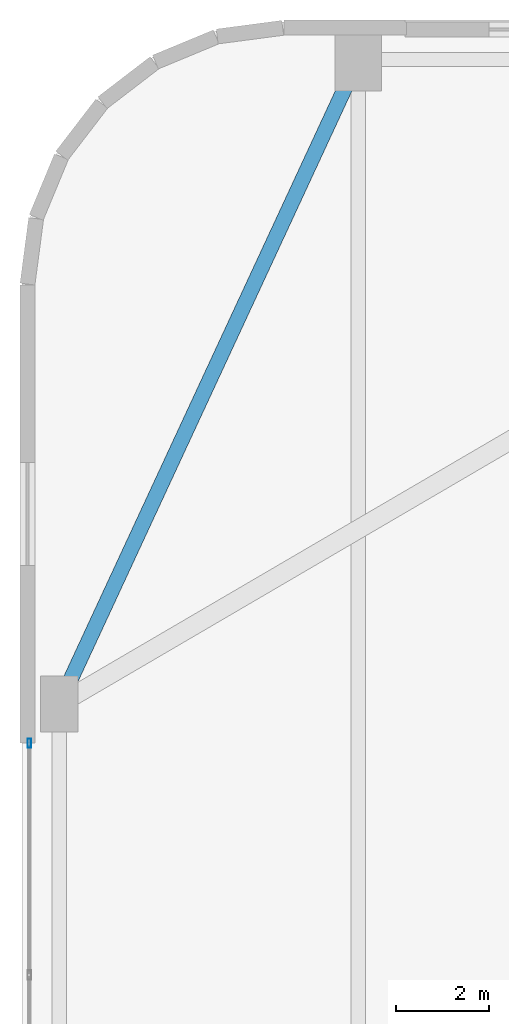
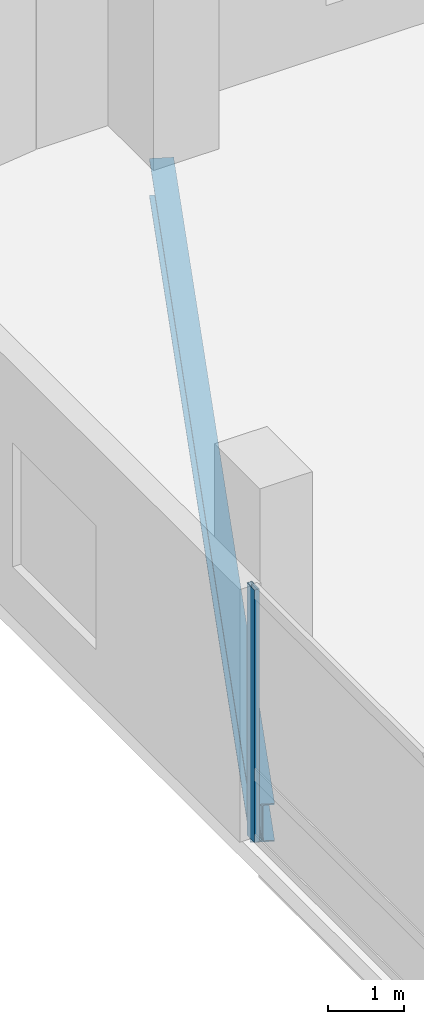
# One storey, part 17 of 40: 1 beam, 1 member, 1 element without a shape of its own.
"""IFC4 building model written with IfcOpenShell, lengths in metres."""

import ifcopenshell
import ifcopenshell.guid

model = None  # the IFC model being written
_history = None  # IfcOwnerHistory: only IFC2X3 demands one
_inside = {}  # id of a spatial element -> (the spatial element, [elements in it])
_under = {}  # id of a project, library or spatial element -> (it, [spatial elements below it])
_declared = {}  # id of a project -> (the project, [libraries it declares])
_typed = {}  # id of a type object -> (the type object, [elements of that type])
_made_of = {}  # id of a material, layer set ... -> (it, [elements and type objects made of it])


def new_model(schema):
    """Start an empty IFC model of exactly this schema.

    Asked for "IFC4X3", IfcOpenShell would pick the latest addendum, in which some entities
    have other attributes; the version numbers below select the first issue.
    IFC2X3 requires an IfcOwnerHistory on every rooted entity: one is made here for all.
    """
    global model, _history
    if schema == "IFC4X3":
        model = ifcopenshell.file(schema_version=(4, 3, 0, 0))
    else:
        model = ifcopenshell.file(schema=schema)
    _inside.clear()
    _under.clear()
    _declared.clear()
    _typed.clear()
    _made_of.clear()
    _history = None
    if model.schema == "IFC2X3":
        org = make("IfcOrganization", Name="unknown")
        user = make(
            "IfcPersonAndOrganization",
            ThePerson=make("IfcPerson", FamilyName="unknown"),
            TheOrganization=org,
        )
        app = make(
            "IfcApplication",
            ApplicationDeveloper=org,
            Version="unknown",
            ApplicationFullName="unknown",
            ApplicationIdentifier="unknown",
        )
        _history = make(
            "IfcOwnerHistory",
            OwningUser=user,
            OwningApplication=app,
            ChangeAction="ADDED",
            CreationDate=0,
        )
    return model


def make(cls, **values):
    """One entity of the class cls with the attributes given. An attribute that is None is left unset."""
    return model.create_entity(
        cls, **{name: value for name, value in values.items() if value is not None}
    )


def rooted(cls, **values):
    """An entity with a GlobalId (a new one), such as an element, a storey or a relation."""
    return make(cls, GlobalId=ifcopenshell.guid.new(), OwnerHistory=_history, **values)


def si_unit(unit_type, name, prefix=None):
    """IfcSIUnit, for example si_unit("LENGTHUNIT", "METRE", prefix="MILLI")."""
    return make("IfcSIUnit", UnitType=unit_type, Prefix=prefix, Name=name)


def assignment(units):
    """IfcUnitAssignment: the units of a project."""
    return None if units is None else make("IfcUnitAssignment", Units=units)


def point(xyz):
    """IfcCartesianPoint."""
    return None if xyz is None else make("IfcCartesianPoint", Coordinates=xyz)


def direction(xyz):
    """IfcDirection."""
    return None if xyz is None else make("IfcDirection", DirectionRatios=xyz)


def frame(location, z_axis=None, x_axis=None):
    """IfcAxis2Placement3D, a coordinate frame: its origin and axes. An axis left out is left unset."""
    return make(
        "IfcAxis2Placement3D",
        Location=point(location),
        Axis=direction(z_axis),
        RefDirection=direction(x_axis),
    )


def frame_2d(location, x_axis=None):
    """IfcAxis2Placement2D, a coordinate frame in the plane: its origin and x axis."""
    return make(
        "IfcAxis2Placement2D", Location=point(location), RefDirection=direction(x_axis)
    )


def origin():
    """The frame at (0, 0, 0) with its axes left unset."""
    return frame((0.0, 0.0, 0.0))


def origin_2d():
    """The frame at (0, 0) in the plane with its x axis left unset."""
    return frame_2d((0.0, 0.0))


def place(relative_to, where):
    """IfcLocalPlacement: puts the frame where relative to a parent placement (None: the world)."""
    return make(
        "IfcLocalPlacement", PlacementRelTo=relative_to, RelativePlacement=where
    )


def context(
    kind, dimensions, precision=None, world=None, true_north=None, identifier=None
):
    """IfcGeometricRepresentationContext, for example the 3D "Model" context."""
    return make(
        "IfcGeometricRepresentationContext",
        ContextIdentifier=identifier,
        ContextType=kind,
        CoordinateSpaceDimension=dimensions,
        Precision=precision,
        WorldCoordinateSystem=world,
        TrueNorth=true_north,
    )


def subcontext(parent, identifier, kind, view, scale=None):
    """IfcGeometricRepresentationSubContext, for example "Body" below "Model"."""
    return make(
        "IfcGeometricRepresentationSubContext",
        ContextIdentifier=identifier,
        ContextType=kind,
        ParentContext=parent,
        TargetScale=scale,
        TargetView=view,
    )


def project(units=None, contexts=None):
    """IfcProject with its units and contexts."""
    return rooted(
        "IfcProject",
        Name="project",
        RepresentationContexts=contexts,
        UnitsInContext=assignment(units),
    )


def spatial(cls, under=None, at=None, **own):
    """A site, building, storey or space (cls), placed at a placement, below another one or the project."""
    s = rooted(cls, ObjectPlacement=at, **own)
    if under is not None:
        _under.setdefault(under.id(), (under, []))[1].append(s)
    return s


def profile(cls, at=None, kind="AREA", **sizes):
    """A parametric profile (cls). Its sizes go by their IFC names, for example OverallWidth=200.0."""
    return make(cls, ProfileType=kind, Position=at, **sizes)


def hollow_rectangle(**sizes):
    """IfcRectangleHollowProfileDef."""
    return profile("IfcRectangleHollowProfileDef", **sizes)


def i_section(**sizes):
    """IfcIShapeProfileDef."""
    return profile("IfcIShapeProfileDef", **sizes)


def extrude(swept, where, along, depth):
    """IfcExtrudedAreaSolid: the profile swept, set in the frame where, extruded along a direction by depth."""
    return make(
        "IfcExtrudedAreaSolid",
        SweptArea=swept,
        Position=where,
        ExtrudedDirection=direction(along),
        Depth=depth,
    )


def shape(context_of_items, identifier, shape_type, items):
    """IfcShapeRepresentation: the items that make up one representation, for example the "Body"."""
    return make(
        "IfcShapeRepresentation",
        ContextOfItems=context_of_items,
        RepresentationIdentifier=identifier,
        RepresentationType=shape_type,
        Items=items,
    )


def material(Name=None, Category=None):
    """IfcMaterial."""
    return make("IfcMaterial", Name=Name, Category=Category)


def layer(
    of_material, thickness, ventilated=None, Name=None, Category=None, Priority=None
):
    """IfcMaterialLayer: one layer of a wall or slab, of a material (None: an air gap)."""
    return make(
        "IfcMaterialLayer",
        Material=of_material,
        LayerThickness=thickness,
        IsVentilated=ventilated,
        Name=Name,
        Category=Category,
        Priority=Priority,
    )


def layer_set(layers, Name=None):
    """IfcMaterialLayerSet."""
    return make("IfcMaterialLayerSet", MaterialLayers=layers, LayerSetName=Name)


def material_profile(
    of_material, cross_section, Name=None, Category=None, Priority=None
):
    """IfcMaterialProfile: a cross section and its material."""
    return make(
        "IfcMaterialProfile",
        Name=Name,
        Material=of_material,
        Profile=cross_section,
        Priority=Priority,
        Category=Category,
    )


def profile_set(profiles, Name=None, composite=None):
    """IfcMaterialProfileSet."""
    return make(
        "IfcMaterialProfileSet",
        Name=Name,
        MaterialProfiles=profiles,
        CompositeProfile=composite,
    )


def made_of(thing, what):
    """Note that an element or type object is made of a material, layer set ...; save() writes the relation."""
    if what is not None:
        _made_of.setdefault(what.id(), (what, []))[1].append(thing)
    return thing


def type_object(cls, material=None, **own):
    """A type object (cls), such as IfcWallType, which elements share."""
    return made_of(rooted(cls, **own), material)


def element(
    cls,
    number,
    at=None,
    inside=None,
    cuts=None,
    type_object=None,
    material=None,
    context=None,
    identifier="Body",
    shape_type=None,
    held_by="IfcProductDefinitionShape",
    body=None,
    shapes=None,
    **own,
):
    """One element of the class cls, such as IfcWall. Its Tag is "e" and its number.

    at: its placement. inside: the storey or other place that contains it. cuts: it is an
    opening in that element (IfcRelVoidsElement). A single representation is given by context,
    identifier, shape_type and body (its items); several are given by shapes. held_by: the class
    of the entity that holds the representations. save() writes the other relations.
    """
    e = rooted(cls, Tag="e%d" % number, ObjectPlacement=at, **own)
    if body is not None:
        shapes = [shape(context, identifier, shape_type, body)]
    if shapes is not None:
        e.Representation = make(held_by, Representations=shapes)
    if inside is not None:
        _inside.setdefault(inside.id(), (inside, []))[1].append(e)
    if cuts is not None:
        rooted(
            "IfcRelVoidsElement", RelatingBuildingElement=cuts, RelatedOpeningElement=e
        )
    if type_object is not None:
        _typed.setdefault(type_object.id(), (type_object, []))[1].append(e)
    return made_of(e, material)


def aggregate(whole, parts):
    """IfcRelAggregates: a whole, such as a stair, and the parts it consists of."""
    return rooted("IfcRelAggregates", RelatingObject=whole, RelatedObjects=parts)


def save(model, path):
    """Write the relations noted so far, then the file.

    IfcRelAggregates (storeys below a building ...), IfcRelContainedInSpatialStructure (elements
    in a storey), IfcRelDefinesByType, IfcRelAssociatesMaterial and IfcRelDeclares: one each for
    every whole, place, type object, material and project.
    """
    for whole, parts in _under.values():
        aggregate(whole, parts)
    for where, things in _inside.values():
        rooted(
            "IfcRelContainedInSpatialStructure",
            RelatedElements=things,
            RelatingStructure=where,
        )
    for kind, things in _typed.values():
        rooted("IfcRelDefinesByType", RelatedObjects=things, RelatingType=kind)
    for what, things in _made_of.values():
        rooted("IfcRelAssociatesMaterial", RelatedObjects=things, RelatingMaterial=what)
    for by, libraries in _declared.values():
        rooted("IfcRelDeclares", RelatingContext=by, RelatedDefinitions=libraries)
    model.write(path)


model = new_model("IFC4")

# Units and contexts
model_context = context("Model", 3, precision=1e-05, world=origin(), true_north=direction((0.0, 1.0)))
body_context = subcontext(model_context, "Body", "Model", "MODEL_VIEW")
ifc_project = project(units=[si_unit("LENGTHUNIT", "METRE"), si_unit("AREAUNIT", "SQUARE_METRE"), si_unit("VOLUMEUNIT", "CUBIC_METRE"), si_unit("PLANEANGLEUNIT", "RADIAN"), si_unit("MASSUNIT", "GRAM", prefix="KILO")], contexts=[model_context])

# Site, building, storey
site_placement = place(None, origin())
site = spatial("IfcSite", under=ifc_project, at=site_placement, CompositionType="ELEMENT")
building_placement = place(site_placement, origin())
building = spatial("IfcBuilding", under=site, at=building_placement, Name="Varnelok Gate Tower", CompositionType="ELEMENT")
storey_placement = place(building_placement, frame((0.0, 0.0, 5.39990234375)))
storey = spatial("IfcBuildingStorey", under=building, at=storey_placement, Name="L01", CompositionType="ELEMENT", Elevation=5.39990234375)

# Beam
ifc_material_1 = material(Name="Structural Steel ASTM A992 Grade 50", Category="steel")
ifc_material_profile_1 = material_profile(ifc_material_1, i_section(OverallWidth=0.323974609375, OverallDepth=0.611083984375, WebThickness=0.0126953125, FlangeThickness=0.01904296875, FilletRadius=0.01806640625, at=origin_2d()), Name="W24X104")
ifc_profile_set_1 = profile_set([ifc_material_profile_1], Name="Structural Steel ASTM A992 Grade 50")
beam_type = type_object("IfcBeamType", Name="BM-SPN-W24X104", PredefinedType="SPANDREL", material=ifc_profile_set_1)
beam_placement = place(storey_placement, frame((0.85888671875, 36.126953125, -0.58544921875), z_axis=(0.420722638096, 0.907189319709, 0.0), x_axis=(-0.907189319709, 0.420722638096, 0.0)))
element("IfcBeam", 1, at=beam_placement, inside=storey, type_object=beam_type, Name="L01 Podium Primary Girder 9", PredefinedType="SPANDREL", context=body_context, shape_type="SweptSolid", body=[
    extrude(i_section(OverallWidth=0.323974609375, OverallDepth=0.611083984375, WebThickness=0.0126953125, FlangeThickness=0.01904296875, FilletRadius=0.01806640625, at=origin_2d()), origin(), (0.0, 0.0, 1.0), 14.931884765625),
])

# Curtain wall, member
ifc_material_2 = material(Name="Anodized Aluminum Alloy 6063-T6", Category="aluminium")
ifc_layer = layer(ifc_material_2, 0.179931640625)
ifc_layer_set = layer_set([ifc_layer], Name="Anodized Aluminum Alloy 6063-T6")
curtain_wall_type = type_object("IfcCurtainWallType", Name="CW1-ARCH-PORTAL", PredefinedType="USERDEFINED", material=ifc_layer_set)
curtain_wall_placement = place(storey_placement, origin())
curtain_wall = element("IfcCurtainWall", 2, at=curtain_wall_placement, inside=storey, type_object=curtain_wall_type, Name="L01 Podium Portal Curtain Wall W", ObjectType="UNITISED CURTAIN WALL", PredefinedType="USERDEFINED")
ifc_material_profile_2 = material_profile(ifc_material_2, hollow_rectangle(XDim=0.074951171875, YDim=0.199951171875, WallThickness=0.00390625, at=origin_2d()), Name="ALU200X75X4")
ifc_profile_set_2 = profile_set([ifc_material_profile_2], Name="Anodized Aluminum Alloy 6063-T6")
member_type = type_object("IfcMemberType", Name="CW-MULL-200", PredefinedType="MULLION", material=ifc_profile_set_2)
member_placement = place(storey_placement, frame((0.159912109375, 35.16259765625, 0.0), z_axis=(0.0, 0.0, 1.0), x_axis=(-1.0, 0.0, 0.0)))
member = element("IfcMember", 3, at=member_placement, type_object=member_type, Name="CW1 mullion 5", PredefinedType="MULLION", context=body_context, shape_type="SweptSolid", body=[
    extrude(hollow_rectangle(XDim=0.074951171875, YDim=0.199951171875, WallThickness=0.00390625, at=origin_2d()), origin(), (0.0, 0.0, 1.0), 4.070068359375),
])
aggregate(curtain_wall, [member])

save(model, "model.ifc")
